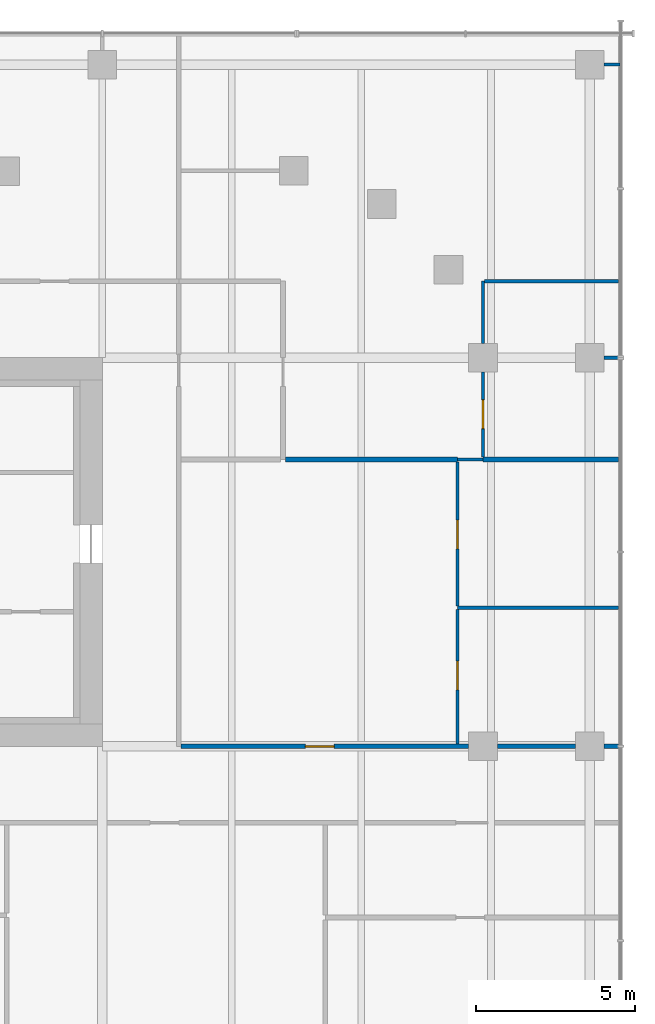
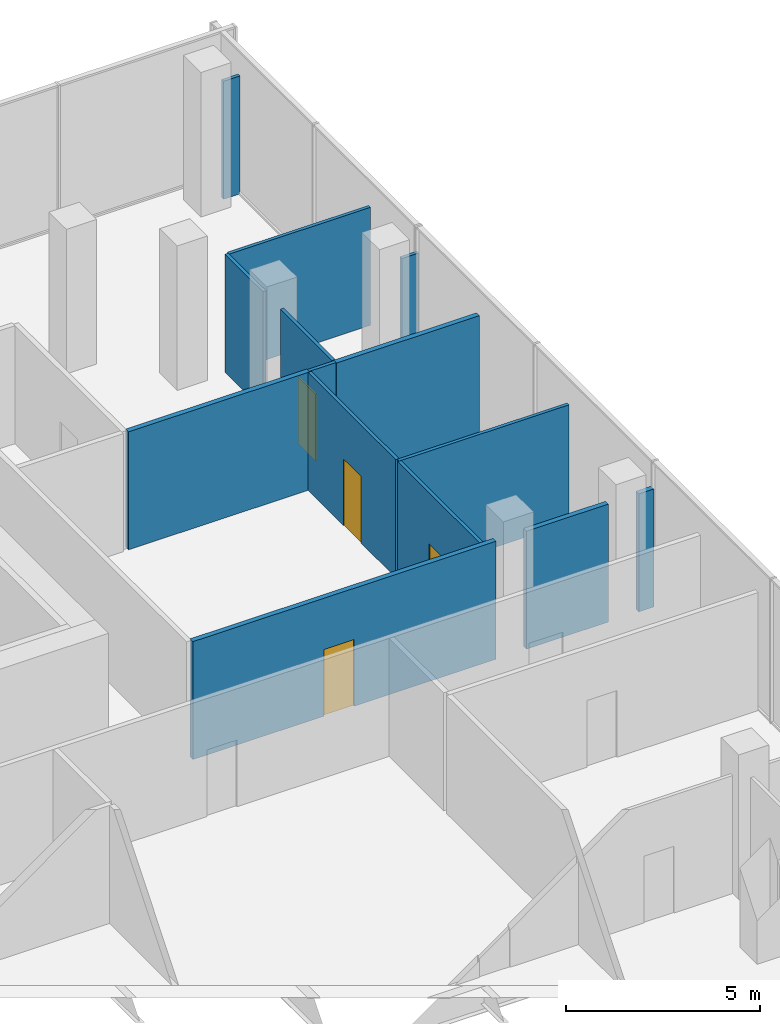
# One storey, part 29 of 33: 14 walls, 4 doors, 4 openings.
"""IFC4 building model written with IfcOpenShell, lengths in metres."""

from ifc_helpers import new_model, si_unit, direction, frame, frame_2d, origin, place, context, subcontext, project, spatial, rectangle, extrude, source, transform, mapped, material, layer, layer_set, type_object, element, fill, save


model = new_model("IFC4")

# Units and contexts
model_context = context("Model", 3, precision=1e-05, world=origin(), true_north=direction((0.0, 1.0)))
body_context = subcontext(model_context, "Body", "Model", "MODEL_VIEW")
ifc_project = project(units=[si_unit("LENGTHUNIT", "METRE"), si_unit("AREAUNIT", "SQUARE_METRE"), si_unit("VOLUMEUNIT", "CUBIC_METRE"), si_unit("PLANEANGLEUNIT", "RADIAN"), si_unit("MASSUNIT", "GRAM", prefix="KILO")], contexts=[model_context])

# Site, building, storey
site_placement = place(None, origin())
site = spatial("IfcSite", under=ifc_project, at=site_placement, CompositionType="ELEMENT")
building_placement = place(site_placement, origin())
building = spatial("IfcBuilding", under=site, at=building_placement, Name="Tessera Gate Towers", CompositionType="ELEMENT")
storey_placement = place(building_placement, frame((0.0, 0.0, 7.199951171875)))
storey = spatial("IfcBuildingStorey", under=building, at=storey_placement, Name="L01", CompositionType="ELEMENT", Elevation=7.199951171875)

# Wall, opening, door
ifc_material_1 = material(Name="Gypsum board on steel studs, mineral wool", Category="steel")
ifc_layer_1 = layer(ifc_material_1, 0.14990234375)
ifc_layer_set_1 = layer_set([ifc_layer_1], Name="CORRIDOR WALL 150")
wall_type_1 = type_object("IfcWallType", Name="CORRIDOR WALL 150", PredefinedType="PARTITIONING", material=ifc_layer_set_1)
wall_1_placement = place(storey_placement, frame((124.47607421875, 36.60009765625, 0.0), z_axis=(0.0, 0.0, 1.0), x_axis=(1.0, 0.0, 0.0)))
wall_1 = element("IfcWall", 1, at=wall_1_placement, inside=storey, type_object=wall_type_1, Name="PODIUM-L01-PW-076", PredefinedType="PARTITIONING", context=body_context, shape_type="SweptSolid", body=[
    extrude(rectangle(XDim=9.02294921875, YDim=0.14990234375, at=frame_2d((4.511474609375, 0.0))), origin(), (0.0, 0.0, 1.0), 3.715087890625),
])
shared_shape_1 = source(origin(), body_context, "Body", "SweptSolid", [
    extrude(rectangle(XDim=0.89990234375, YDim=2.10009765625, at=frame_2d((0.449951171875, 1.050048828125))), frame((0.0, 0.0849609375, 0.0), z_axis=(0.0, -1.0, 0.0), x_axis=(1.0, 0.0, 0.0)), (0.0, 0.0, 1.0), 0.169921875),
])
opening_1_placement = place(wall_1_placement, frame((3.89990234375, 0.0, 0.0)))
opening_1 = element("IfcOpeningElement", 2, at=opening_1_placement, cuts=wall_1, Name="Opening D890FD60-P02-11", PredefinedType="OPENING", context=body_context, shape_type="MappedRepresentation", body=[
    mapped(shared_shape_1, transform((0.0, 0.0, 0.0), scale=1.0)),
])
ifc_material_2 = material(Name="Timber door leaf in steel frame", Category="steel")
door_type_1 = type_object("IfcDoorType", Name="CORRIDOR DOOR 900 FD60", OperationType="NOTDEFINED", PredefinedType="DOOR", material=ifc_material_2)
shared_shape_2 = source(origin(), body_context, "Body", "SweptSolid", [
    extrude(rectangle(XDim=0.89990234375, YDim=2.10009765625, at=frame_2d((0.449951171875, 1.050048828125))), frame((0.0, 0.02490234375, 0.0), z_axis=(0.0, -1.0, 0.0), x_axis=(1.0, 0.0, 0.0)), (0.0, 0.0, 1.0), 0.050048828125),
])
door_1_placement = place(opening_1_placement, origin())
door_1 = element("IfcDoor", 3, at=door_1_placement, inside=storey, type_object=door_type_1, Name="PODIUM-L01-PD-057", OperationType="SINGLE_SWING_LEFT", OverallHeight=2.10009765625, OverallWidth=0.89990234375, PredefinedType="DOOR", context=body_context, shape_type="MappedRepresentation", body=[
    mapped(shared_shape_2, transform((0.0, 0.0, 0.0), scale=1.0)),
])
fill(opening_1, door_1)

# Walls
wall_2_placement = place(storey_placement, frame((134.40087890625, 36.60009765625, 0.0), z_axis=(0.0, 0.0, 1.0), x_axis=(1.0, 0.0, 0.0)))
element("IfcWall", 4, at=wall_2_placement, inside=storey, type_object=wall_type_1, Name="PODIUM-L01-PW-077", PredefinedType="PARTITIONING", context=body_context, shape_type="SweptSolid", body=[
    extrude(rectangle(XDim=2.4482421875, YDim=0.14990234375, at=frame_2d((1.22412109375, 0.0))), origin(), (0.0, 0.0, 1.0), 3.715087890625),
])
wall_3_placement = place(storey_placement, frame((137.7509765625, 36.60009765625, 0.0), z_axis=(0.0, 0.0, 1.0), x_axis=(1.0, 0.0, 0.0)))
element("IfcWall", 5, at=wall_3_placement, inside=storey, type_object=wall_type_1, Name="PODIUM-L01-PW-078", PredefinedType="PARTITIONING", context=body_context, shape_type="SweptSolid", body=[
    extrude(rectangle(XDim=0.448974609375, YDim=0.14990234375, at=frame_2d((0.224609375, 0.0))), origin(), (0.0, 0.0, 1.0), 3.715087890625),
])

# Wall, opening, door
ifc_material_3 = material(Name="Glass", Category="glass")
ifc_layer_2 = layer(ifc_material_3, 0.10009765625)
ifc_layer_set_2 = layer_set([ifc_layer_2], Name="GLAZED PARTITION 100")
wall_type_2 = type_object("IfcWallType", Name="GLAZED PARTITION 100", PredefinedType="PARTITIONING", material=ifc_layer_set_2)
wall_4_placement = place(storey_placement, frame((133.14501953125, 40.896728515625, 0.0), z_axis=(0.0, 0.0, 1.0), x_axis=(0.0, -1.0, 0.0)))
wall_4 = element("IfcWall", 6, at=wall_4_placement, inside=storey, type_object=wall_type_2, Name="PODIUM-L01-PW-080", PredefinedType="PARTITIONING", context=body_context, shape_type="SweptSolid", body=[
    extrude(rectangle(XDim=4.220703125, YDim=0.10009765625, at=frame_2d((2.1103515625, 0.0))), origin(), (0.0, 0.0, 1.0), 3.715087890625),
])
shared_shape_3 = source(origin(), body_context, "Body", "SweptSolid", [
    extrude(rectangle(XDim=0.89990234375, YDim=2.10009765625, at=frame_2d((0.449951171875, 1.050048828125))), frame((0.0, 0.06005859375, 0.0), z_axis=(0.0, -1.0, 0.0), x_axis=(1.0, 0.0, 0.0)), (0.0, 0.0, 1.0), 0.1201171875),
])
opening_2_placement = place(wall_4_placement, frame((1.620849609375, 0.0, 0.0)))
opening_2 = element("IfcOpeningElement", 7, at=opening_2_placement, cuts=wall_4, Name="Opening D690-P02-03", PredefinedType="OPENING", context=body_context, shape_type="MappedRepresentation", body=[
    mapped(shared_shape_3, transform((0.0, 0.0, 0.0), scale=1.0)),
])
ifc_material_4 = material(Name="Glass in aluminium frame", Category="aluminium")
door_type_2 = type_object("IfcDoorType", Name="GLAZED DOOR 900 NOT RATED", OperationType="NOTDEFINED", PredefinedType="DOOR", material=ifc_material_4)
door_2_placement = place(opening_2_placement, origin())
door_2 = element("IfcDoor", 8, at=door_2_placement, inside=storey, type_object=door_type_2, Name="PODIUM-L01-PD-007", OperationType="SINGLE_SWING_RIGHT", OverallHeight=2.10009765625, OverallWidth=0.89990234375, PredefinedType="DOOR", context=body_context, shape_type="MappedRepresentation", body=[
    mapped(shared_shape_2, transform((0.0, 0.0, 0.0), scale=1.0)),
])
fill(opening_2, door_2)

wall_5_placement = place(storey_placement, frame((133.14501953125, 45.52392578125, 0.0), z_axis=(0.0, 0.0, 1.0), x_axis=(0.0, -1.0, 0.0)))
wall_5 = element("IfcWall", 9, at=wall_5_placement, inside=storey, type_object=wall_type_2, Name="PODIUM-L01-PW-086", PredefinedType="PARTITIONING", context=body_context, shape_type="SweptSolid", body=[
    extrude(rectangle(XDim=4.525146484375, YDim=0.10009765625, at=frame_2d((2.2626953125, 0.0))), origin(), (0.0, 0.0, 1.0), 3.715087890625),
])
opening_3_placement = place(wall_5_placement, frame((1.8251953125, 0.0, 0.0)))
opening_3 = element("IfcOpeningElement", 10, at=opening_3_placement, cuts=wall_5, Name="Opening D690-P02-04", PredefinedType="OPENING", context=body_context, shape_type="MappedRepresentation", body=[
    mapped(shared_shape_3, transform((0.0, 0.0, 0.0), scale=1.0)),
])
door_3_placement = place(opening_3_placement, origin())
door_3 = element("IfcDoor", 11, at=door_3_placement, inside=storey, type_object=door_type_2, Name="PODIUM-L01-PD-011", OperationType="SINGLE_SWING_RIGHT", OverallHeight=2.10009765625, OverallWidth=0.89990234375, PredefinedType="DOOR", context=body_context, shape_type="MappedRepresentation", body=[
    mapped(shared_shape_2, transform((0.0, 0.0, 0.0), scale=1.0)),
])
fill(opening_3, door_3)

# Walls
wall_6_placement = place(storey_placement, frame((133.14599609375, 45.60009765625, 0.0), z_axis=(0.0, 0.0, 1.0), x_axis=(1.0, 0.0, 0.0)))
element("IfcWall", 12, at=wall_6_placement, inside=storey, type_object=wall_type_2, Name="PODIUM-L01-PW-092", PredefinedType="PARTITIONING", context=body_context, shape_type="SweptSolid", body=[
    extrude(rectangle(XDim=0.802978515625, YDim=0.10009765625, at=frame_2d((0.4013671875, 0.0))), origin(), (0.0, 0.0, 1.0), 3.715087890625),
])
ifc_material_5 = material(Name="Gypsum board on steel studs", Category="steel")
ifc_layer_3 = layer(ifc_material_5, 0.10009765625)
ifc_layer_set_3 = layer_set([ifc_layer_3], Name="PARTITION 100")
wall_type_3 = type_object("IfcWallType", Name="PARTITION 100", PredefinedType="PARTITIONING", material=ifc_layer_set_3)
wall_7_placement = place(storey_placement, frame((133.14501953125, 40.947998046875, 0.0), z_axis=(0.0, 0.0, 1.0), x_axis=(1.0, 0.0, 0.0)))
element("IfcWall", 13, at=wall_7_placement, inside=storey, type_object=wall_type_3, Name="PODIUM-L01-PW-085", PredefinedType="PARTITIONING", context=body_context, shape_type="SweptSolid", body=[
    extrude(rectangle(XDim=5.054931640625, YDim=0.10009765625, at=frame_2d((2.52734375, 0.0))), origin(), (0.0, 0.0, 1.0), 3.715087890625),
])

# Wall, opening, door
wall_8_placement = place(storey_placement, frame((133.949951171875, 48.34912109375, 0.0), z_axis=(0.0, 0.0, 1.0), x_axis=(0.0, -1.0, 0.0)))
wall_8 = element("IfcWall", 14, at=wall_8_placement, inside=storey, type_object=wall_type_3, Name="PODIUM-L01-PW-094", PredefinedType="PARTITIONING", context=body_context, shape_type="SweptSolid", body=[
    extrude(rectangle(XDim=2.673095703125, YDim=0.10009765625, at=frame_2d((1.33642578125, 0.0))), origin(), (0.0, 0.0, 1.0), 3.715087890625),
])
opening_4_placement = place(wall_8_placement, frame((0.873046875, 0.0, 0.0)))
opening_4 = element("IfcOpeningElement", 15, at=opening_4_placement, cuts=wall_8, Name="Opening D190-P02-16", PredefinedType="OPENING", context=body_context, shape_type="MappedRepresentation", body=[
    mapped(shared_shape_3, transform((0.0, 0.0, 0.0), scale=1.0)),
])
ifc_material_6 = material(Name="Timber door leaf in steel frame", Category="steel")
door_type_3 = type_object("IfcDoorType", Name="INTERNAL DOOR 900 NOT RATED", OperationType="NOTDEFINED", PredefinedType="DOOR", material=ifc_material_6)
door_4_placement = place(opening_4_placement, origin())
door_4 = element("IfcDoor", 16, at=door_4_placement, inside=storey, type_object=door_type_3, Name="PODIUM-L01-PD-038", OperationType="SINGLE_SWING_RIGHT", OverallHeight=2.10009765625, OverallWidth=0.89990234375, PredefinedType="DOOR", context=body_context, shape_type="MappedRepresentation", body=[
    mapped(shared_shape_2, transform((0.0, 0.0, 0.0), scale=1.0)),
])
fill(opening_4, door_4)

# Walls
wall_9_placement = place(storey_placement, frame((137.75, 48.800048828125, 0.0), z_axis=(0.0, 0.0, 1.0), x_axis=(1.0, 0.0, 0.0)))
element("IfcWall", 17, at=wall_9_placement, inside=storey, type_object=wall_type_3, Name="PODIUM-L01-PW-105", PredefinedType="PARTITIONING", context=body_context, shape_type="SweptSolid", body=[
    extrude(rectangle(XDim=0.5, YDim=0.10009765625, at=frame_2d((0.25, 0.0))), origin(), (0.0, 0.0, 1.0), 3.715087890625),
])
wall_10_placement = place(storey_placement, frame((133.949951171875, 49.2509765625, 0.0), z_axis=(0.0, 0.0, 1.0), x_axis=(0.0, 1.0, 0.0)))
element("IfcWall", 18, at=wall_10_placement, inside=storey, type_object=wall_type_3, Name="PODIUM-L01-PW-108", PredefinedType="PARTITIONING", context=body_context, shape_type="SweptSolid", body=[
    extrude(rectangle(XDim=1.948974609375, YDim=0.10009765625, at=frame_2d((0.974609375, 0.0))), origin(), (0.0, 0.0, 1.0), 3.715087890625),
])
wall_11_placement = place(storey_placement, frame((134.0009765625, 51.199951171875, 0.0), z_axis=(0.0, 0.0, 1.0), x_axis=(1.0, 0.0, 0.0)))
element("IfcWall", 19, at=wall_11_placement, inside=storey, type_object=wall_type_3, Name="PODIUM-L01-PW-117", PredefinedType="PARTITIONING", context=body_context, shape_type="SweptSolid", body=[
    extrude(rectangle(XDim=4.198974609375, YDim=0.10009765625, at=frame_2d((2.099609375, 0.0))), origin(), (0.0, 0.0, 1.0), 3.715087890625),
])
wall_12_placement = place(storey_placement, frame((137.75, 58.0, 0.0), z_axis=(0.0, 0.0, 1.0), x_axis=(1.0, 0.0, 0.0)))
element("IfcWall", 20, at=wall_12_placement, inside=storey, type_object=wall_type_3, Name="PODIUM-L01-PW-132", PredefinedType="PARTITIONING", context=body_context, shape_type="SweptSolid", body=[
    extrude(rectangle(XDim=0.5, YDim=0.10009765625, at=frame_2d((0.25, 0.0))), origin(), (0.0, 0.0, 1.0), 3.715087890625),
])
ifc_material_7 = material(Name="Gypsum board on steel studs, mineral wool", Category="steel")
ifc_layer_4 = layer(ifc_material_7, 0.14990234375)
ifc_layer_set_4 = layer_set([ifc_layer_4], Name="TENANCY WALL 150")
wall_type_4 = type_object("IfcWallType", Name="TENANCY WALL 150", PredefinedType="PARTITIONING", material=ifc_layer_set_4)
wall_13_placement = place(storey_placement, frame((127.7509765625, 45.60009765625, 0.0), z_axis=(0.0, 0.0, 1.0), x_axis=(1.0, 0.0, 0.0)))
element("IfcWall", 21, at=wall_13_placement, inside=storey, type_object=wall_type_4, Name="PODIUM-L01-PW-091", PredefinedType="PARTITIONING", context=body_context, shape_type="SweptSolid", body=[
    extrude(rectangle(XDim=5.39404296875, YDim=0.14990234375, at=frame_2d((2.697021484375, 0.0))), origin(), (0.0, 0.0, 1.0), 3.715087890625),
])
wall_14_placement = place(storey_placement, frame((133.949951171875, 45.60009765625, 0.0), z_axis=(0.0, 0.0, 1.0), x_axis=(1.0, 0.0, 0.0)))
element("IfcWall", 22, at=wall_14_placement, inside=storey, type_object=wall_type_4, Name="PODIUM-L01-PW-093", PredefinedType="PARTITIONING", context=body_context, shape_type="SweptSolid", body=[
    extrude(rectangle(XDim=4.25, YDim=0.14990234375, at=frame_2d((2.125, 0.0))), origin(), (0.0, 0.0, 1.0), 3.715087890625),
])

save(model, "model.ifc")
